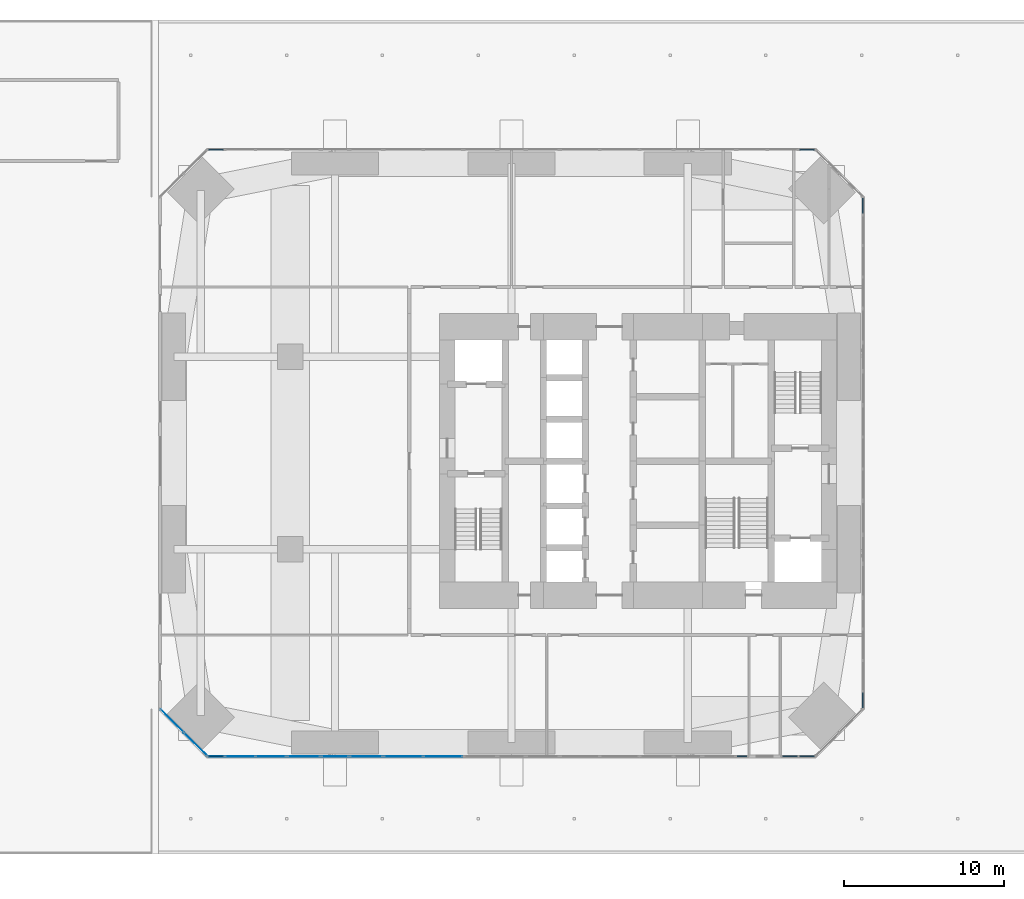
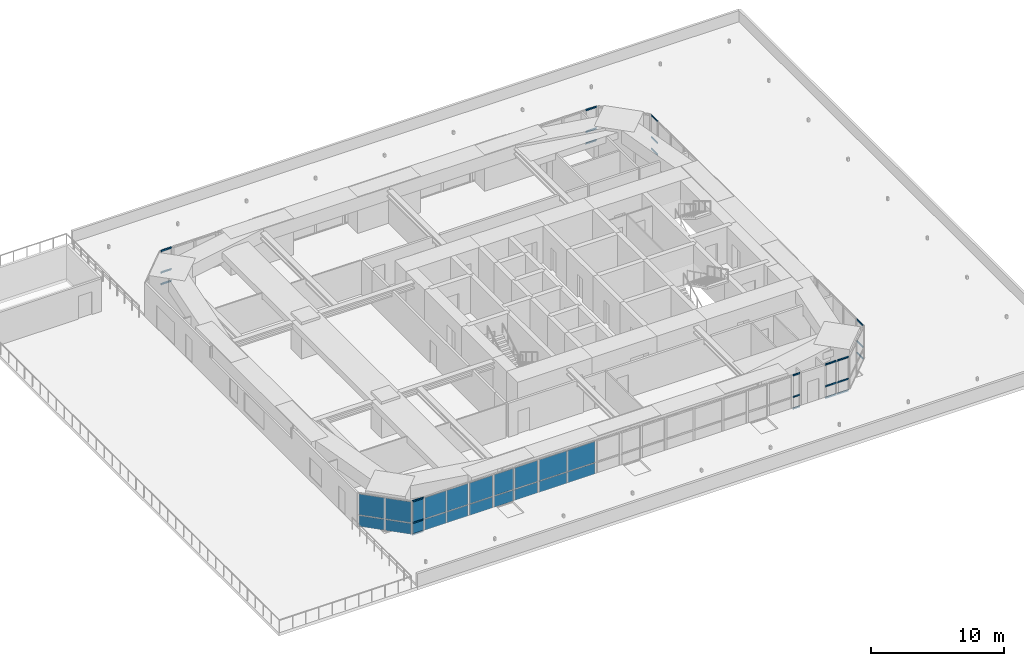
# One storey, part 8 of 20: 24 members, 20 plates, 14 elements without a shape of their own.
"""IFC4 building model written with IfcOpenShell, lengths in metres."""

from ifc_helpers import new_model, si_unit, direction, frame, origin, origin_2d, place, context, subcontext, project, spatial, rectangle, extrude, material, layer, layer_set, material_profile, profile_set, type_object, element, aggregate, save


model = new_model("IFC4")

# Units and contexts
model_context = context("Model", 3, precision=1e-05, world=origin(), true_north=direction((0.0, 1.0)))
body_context = subcontext(model_context, "Body", "Model", "MODEL_VIEW")
ifc_project = project(units=[si_unit("LENGTHUNIT", "METRE"), si_unit("AREAUNIT", "SQUARE_METRE"), si_unit("VOLUMEUNIT", "CUBIC_METRE"), si_unit("PLANEANGLEUNIT", "RADIAN"), si_unit("MASSUNIT", "GRAM", prefix="KILO")], contexts=[model_context])

# Site, building, storey
site_placement = place(None, origin())
site = spatial("IfcSite", under=ifc_project, at=site_placement, CompositionType="ELEMENT")
building_placement = place(site_placement, origin())
building = spatial("IfcBuilding", under=site, at=building_placement, Name="Jalousie Tower", CompositionType="ELEMENT")
storey_placement = place(building_placement, frame((0.0, 0.0, 21.0)))
storey = spatial("IfcBuildingStorey", under=building, at=storey_placement, Name="L04", CompositionType="ELEMENT", Elevation=21.0)

# Curtain wall, members
ifc_material_1 = material(Name="Aluminium curtain wall", Category="aluminium")
curtain_wall_type_1 = type_object("IfcCurtainWallType", Name="AMENITY SPANDREL WALL", PredefinedType="USERDEFINED", material=ifc_material_1)
curtain_wall_1_placement = place(storey_placement, origin())
curtain_wall_1 = element("IfcCurtainWall", 1, at=curtain_wall_1_placement, inside=storey, type_object=curtain_wall_type_1, Name="Amenity Spandrel Wall L04 1", ObjectType="AMENITY SPANDREL WALL", PredefinedType="USERDEFINED")
ifc_material_2 = material(Name="Aluminium transom", Category="aluminium")
ifc_material_profile = material_profile(ifc_material_2, rectangle(XDim=0.06494140625, YDim=0.1298828125, at=origin_2d()), Name="TRANSOM 65x130")
ifc_profile_set = profile_set([ifc_material_profile], Name="Aluminium transom")
member_type = type_object("IfcMemberType", Name="AMENITY SPANDREL WALL TRANSOM", PredefinedType="USERDEFINED", material=ifc_profile_set)
member_1_placement = place(storey_placement, frame((5.1162109375, 0.08740234375, 0.032470703125), z_axis=(1.0, 0.0, 0.0), x_axis=(0.0, 1.0, 0.0)))
member_1 = element("IfcMember", 2, at=member_1_placement, type_object=member_type, Name="CW-AS transom 1.1", ObjectType="TRANSOM", PredefinedType="USERDEFINED", context=body_context, shape_type="SweptSolid", body=[
    extrude(rectangle(XDim=0.06494140625, YDim=0.1298828125, at=origin_2d()), origin(), (0.0, 0.0, 1.0), 0.923583984375),
])
member_2_placement = place(storey_placement, frame((5.1162109375, 0.08740234375, 1.10009765625), z_axis=(1.0, 0.0, 0.0), x_axis=(0.0, 1.0, 0.0)))
member_2 = element("IfcMember", 3, at=member_2_placement, type_object=member_type, Name="CW-AS transom 1.2", ObjectType="TRANSOM", PredefinedType="USERDEFINED", context=body_context, shape_type="SweptSolid", body=[
    extrude(rectangle(XDim=0.06494140625, YDim=0.1298828125, at=origin_2d()), origin(), (0.0, 0.0, 1.0), 0.923583984375),
])
member_3_placement = place(storey_placement, frame((5.1162109375, 0.08740234375, 3.077392578125), z_axis=(1.0, 0.0, 0.0), x_axis=(0.0, 1.0, 0.0)))
member_3 = element("IfcMember", 4, at=member_3_placement, type_object=member_type, Name="CW-AS transom 1.3", ObjectType="TRANSOM", PredefinedType="USERDEFINED", context=body_context, shape_type="SweptSolid", body=[
    extrude(rectangle(XDim=0.06494140625, YDim=0.1298828125, at=origin_2d()), origin(), (0.0, 0.0, 1.0), 0.923583984375),
])

curtain_wall_2_placement = place(storey_placement, origin())
curtain_wall_2 = element("IfcCurtainWall", 5, at=curtain_wall_2_placement, inside=storey, type_object=curtain_wall_type_1, Name="Amenity Spandrel Wall L04 15", ObjectType="AMENITY SPANDREL WALL", PredefinedType="USERDEFINED")
member_4_placement = place(storey_placement, frame((41.960205078125, 0.08740234375, 0.032470703125), z_axis=(1.0, 0.0, 0.0), x_axis=(0.0, 1.0, 0.0)))
member_4 = element("IfcMember", 6, at=member_4_placement, type_object=member_type, Name="CW-AS transom 1.1", ObjectType="TRANSOM", PredefinedType="USERDEFINED", context=body_context, shape_type="SweptSolid", body=[
    extrude(rectangle(XDim=0.06494140625, YDim=0.1298828125, at=origin_2d()), origin(), (0.0, 0.0, 1.0), 0.923583984375),
])
member_5_placement = place(storey_placement, frame((41.960205078125, 0.08740234375, 1.10009765625), z_axis=(1.0, 0.0, 0.0), x_axis=(0.0, 1.0, 0.0)))
member_5 = element("IfcMember", 7, at=member_5_placement, type_object=member_type, Name="CW-AS transom 1.2", ObjectType="TRANSOM", PredefinedType="USERDEFINED", context=body_context, shape_type="SweptSolid", body=[
    extrude(rectangle(XDim=0.06494140625, YDim=0.1298828125, at=origin_2d()), origin(), (0.0, 0.0, 1.0), 0.923583984375),
])
member_6_placement = place(storey_placement, frame((41.960205078125, 0.08740234375, 3.077392578125), z_axis=(1.0, 0.0, 0.0), x_axis=(0.0, 1.0, 0.0)))
member_6 = element("IfcMember", 8, at=member_6_placement, type_object=member_type, Name="CW-AS transom 1.3", ObjectType="TRANSOM", PredefinedType="USERDEFINED", context=body_context, shape_type="SweptSolid", body=[
    extrude(rectangle(XDim=0.06494140625, YDim=0.1298828125, at=origin_2d()), origin(), (0.0, 0.0, 1.0), 0.923583984375),
])
aggregate(curtain_wall_2, [member_4, member_5, member_6])

curtain_wall_3_placement = place(storey_placement, origin())
curtain_wall_3 = element("IfcCurtainWall", 9, at=curtain_wall_3_placement, inside=storey, type_object=curtain_wall_type_1, Name="Amenity Spandrel Wall L04 21", ObjectType="AMENITY SPANDREL WALL", PredefinedType="USERDEFINED")
member_7_placement = place(storey_placement, frame((45.91259765625, 3.1162109375, 0.032470703125), z_axis=(0.0, 1.0, 0.0), x_axis=(-1.0, 0.0, 0.0)))
member_7 = element("IfcMember", 10, at=member_7_placement, type_object=member_type, Name="CW-AS transom 1.1", ObjectType="TRANSOM", PredefinedType="USERDEFINED", context=body_context, shape_type="SweptSolid", body=[
    extrude(rectangle(XDim=0.06494140625, YDim=0.1298828125, at=origin_2d()), origin(), (0.0, 0.0, 1.0), 0.923583984375),
])
member_8_placement = place(storey_placement, frame((45.91259765625, 3.1162109375, 1.10009765625), z_axis=(0.0, 1.0, 0.0), x_axis=(-1.0, 0.0, 0.0)))
member_8 = element("IfcMember", 11, at=member_8_placement, type_object=member_type, Name="CW-AS transom 1.2", ObjectType="TRANSOM", PredefinedType="USERDEFINED", context=body_context, shape_type="SweptSolid", body=[
    extrude(rectangle(XDim=0.06494140625, YDim=0.1298828125, at=origin_2d()), origin(), (0.0, 0.0, 1.0), 0.923583984375),
])
member_9_placement = place(storey_placement, frame((45.91259765625, 3.1162109375, 3.077392578125), z_axis=(0.0, 1.0, 0.0), x_axis=(-1.0, 0.0, 0.0)))
member_9 = element("IfcMember", 12, at=member_9_placement, type_object=member_type, Name="CW-AS transom 1.3", ObjectType="TRANSOM", PredefinedType="USERDEFINED", context=body_context, shape_type="SweptSolid", body=[
    extrude(rectangle(XDim=0.06494140625, YDim=0.1298828125, at=origin_2d()), origin(), (0.0, 0.0, 1.0), 0.923583984375),
])
aggregate(curtain_wall_3, [member_7, member_8, member_9])

curtain_wall_4_placement = place(storey_placement, origin())
curtain_wall_4 = element("IfcCurtainWall", 13, at=curtain_wall_4_placement, inside=storey, type_object=curtain_wall_type_1, Name="Amenity Spandrel Wall L04 31", ObjectType="AMENITY SPANDREL WALL", PredefinedType="USERDEFINED")
member_10_placement = place(storey_placement, frame((45.91259765625, 33.960205078125, 0.032470703125), z_axis=(0.0, 1.0, 0.0), x_axis=(-1.0, 0.0, 0.0)))
member_10 = element("IfcMember", 14, at=member_10_placement, type_object=member_type, Name="CW-AS transom 1.1", ObjectType="TRANSOM", PredefinedType="USERDEFINED", context=body_context, shape_type="SweptSolid", body=[
    extrude(rectangle(XDim=0.06494140625, YDim=0.1298828125, at=origin_2d()), origin(), (0.0, 0.0, 1.0), 0.923583984375),
])
member_11_placement = place(storey_placement, frame((45.91259765625, 33.960205078125, 1.10009765625), z_axis=(0.0, 1.0, 0.0), x_axis=(-1.0, 0.0, 0.0)))
member_11 = element("IfcMember", 15, at=member_11_placement, type_object=member_type, Name="CW-AS transom 1.2", ObjectType="TRANSOM", PredefinedType="USERDEFINED", context=body_context, shape_type="SweptSolid", body=[
    extrude(rectangle(XDim=0.06494140625, YDim=0.1298828125, at=origin_2d()), origin(), (0.0, 0.0, 1.0), 0.923583984375),
])
member_12_placement = place(storey_placement, frame((45.91259765625, 33.960205078125, 3.077392578125), z_axis=(0.0, 1.0, 0.0), x_axis=(-1.0, 0.0, 0.0)))
member_12 = element("IfcMember", 16, at=member_12_placement, type_object=member_type, Name="CW-AS transom 1.3", ObjectType="TRANSOM", PredefinedType="USERDEFINED", context=body_context, shape_type="SweptSolid", body=[
    extrude(rectangle(XDim=0.06494140625, YDim=0.1298828125, at=origin_2d()), origin(), (0.0, 0.0, 1.0), 0.923583984375),
])
aggregate(curtain_wall_4, [member_10, member_11, member_12])

curtain_wall_5_placement = place(storey_placement, origin())
curtain_wall_5 = element("IfcCurtainWall", 17, at=curtain_wall_5_placement, inside=storey, type_object=curtain_wall_type_1, Name="Amenity Spandrel Wall L04 41", ObjectType="AMENITY SPANDREL WALL", PredefinedType="USERDEFINED")
member_13_placement = place(storey_placement, frame((42.8837890625, 37.91259765625, 0.032470703125), z_axis=(-1.0, 0.0, 0.0), x_axis=(0.0, -1.0, 0.0)))
member_13 = element("IfcMember", 18, at=member_13_placement, type_object=member_type, Name="CW-AS transom 1.1", ObjectType="TRANSOM", PredefinedType="USERDEFINED", context=body_context, shape_type="SweptSolid", body=[
    extrude(rectangle(XDim=0.06494140625, YDim=0.1298828125, at=origin_2d()), origin(), (0.0, 0.0, 1.0), 0.923583984375),
])
member_14_placement = place(storey_placement, frame((42.8837890625, 37.91259765625, 1.10009765625), z_axis=(-1.0, 0.0, 0.0), x_axis=(0.0, -1.0, 0.0)))
member_14 = element("IfcMember", 19, at=member_14_placement, type_object=member_type, Name="CW-AS transom 1.2", ObjectType="TRANSOM", PredefinedType="USERDEFINED", context=body_context, shape_type="SweptSolid", body=[
    extrude(rectangle(XDim=0.06494140625, YDim=0.1298828125, at=origin_2d()), origin(), (0.0, 0.0, 1.0), 0.923583984375),
])
member_15_placement = place(storey_placement, frame((42.8837890625, 37.91259765625, 3.077392578125), z_axis=(-1.0, 0.0, 0.0), x_axis=(0.0, -1.0, 0.0)))
member_15 = element("IfcMember", 20, at=member_15_placement, type_object=member_type, Name="CW-AS transom 1.3", ObjectType="TRANSOM", PredefinedType="USERDEFINED", context=body_context, shape_type="SweptSolid", body=[
    extrude(rectangle(XDim=0.06494140625, YDim=0.1298828125, at=origin_2d()), origin(), (0.0, 0.0, 1.0), 0.923583984375),
])
aggregate(curtain_wall_5, [member_13, member_14, member_15])

curtain_wall_6_placement = place(storey_placement, origin())
curtain_wall_6 = element("IfcCurtainWall", 21, at=curtain_wall_6_placement, inside=storey, type_object=curtain_wall_type_1, Name="Amenity Spandrel Wall L04 55", ObjectType="AMENITY SPANDREL WALL", PredefinedType="USERDEFINED")
member_16_placement = place(storey_placement, frame((6.039794921875, 37.91259765625, 0.032470703125), z_axis=(-1.0, 0.0, 0.0), x_axis=(0.0, -1.0, 0.0)))
member_16 = element("IfcMember", 22, at=member_16_placement, type_object=member_type, Name="CW-AS transom 1.1", ObjectType="TRANSOM", PredefinedType="USERDEFINED", context=body_context, shape_type="SweptSolid", body=[
    extrude(rectangle(XDim=0.06494140625, YDim=0.1298828125, at=origin_2d()), origin(), (0.0, 0.0, 1.0), 0.923583984375),
])
member_17_placement = place(storey_placement, frame((6.039794921875, 37.91259765625, 1.10009765625), z_axis=(-1.0, 0.0, 0.0), x_axis=(0.0, -1.0, 0.0)))
member_17 = element("IfcMember", 23, at=member_17_placement, type_object=member_type, Name="CW-AS transom 1.2", ObjectType="TRANSOM", PredefinedType="USERDEFINED", context=body_context, shape_type="SweptSolid", body=[
    extrude(rectangle(XDim=0.06494140625, YDim=0.1298828125, at=origin_2d()), origin(), (0.0, 0.0, 1.0), 0.923583984375),
])
member_18_placement = place(storey_placement, frame((6.039794921875, 37.91259765625, 3.077392578125), z_axis=(-1.0, 0.0, 0.0), x_axis=(0.0, -1.0, 0.0)))
member_18 = element("IfcMember", 24, at=member_18_placement, type_object=member_type, Name="CW-AS transom 1.3", ObjectType="TRANSOM", PredefinedType="USERDEFINED", context=body_context, shape_type="SweptSolid", body=[
    extrude(rectangle(XDim=0.06494140625, YDim=0.1298828125, at=origin_2d()), origin(), (0.0, 0.0, 1.0), 0.923583984375),
])
aggregate(curtain_wall_6, [member_16, member_17, member_18])

curtain_wall_7_placement = place(storey_placement, origin())
curtain_wall_7 = element("IfcCurtainWall", 25, at=curtain_wall_7_placement, inside=storey, type_object=curtain_wall_type_1, Name="Amenity Spandrel Wall L04 14", ObjectType="AMENITY SPANDREL WALL", PredefinedType="USERDEFINED")
member_19_placement = place(storey_placement, frame((38.07958984375, 0.08740234375, 0.032470703125), z_axis=(1.0, 0.0, 0.0), x_axis=(0.0, 1.0, 0.0)))
member_19 = element("IfcMember", 26, at=member_19_placement, type_object=member_type, Name="CW-AS transom 1.1", ObjectType="TRANSOM", PredefinedType="USERDEFINED", context=body_context, shape_type="SweptSolid", body=[
    extrude(rectangle(XDim=0.06494140625, YDim=0.1298828125, at=origin_2d()), origin(), (0.0, 0.0, 1.0), 0.59326171875),
])
member_20_placement = place(storey_placement, frame((38.07958984375, 0.08740234375, 1.10009765625), z_axis=(1.0, 0.0, 0.0), x_axis=(0.0, 1.0, 0.0)))
member_20 = element("IfcMember", 27, at=member_20_placement, type_object=member_type, Name="CW-AS transom 1.2", ObjectType="TRANSOM", PredefinedType="USERDEFINED", context=body_context, shape_type="SweptSolid", body=[
    extrude(rectangle(XDim=0.06494140625, YDim=0.1298828125, at=origin_2d()), origin(), (0.0, 0.0, 1.0), 0.59326171875),
])
member_21_placement = place(storey_placement, frame((38.07958984375, 0.08740234375, 3.077392578125), z_axis=(1.0, 0.0, 0.0), x_axis=(0.0, 1.0, 0.0)))
member_21 = element("IfcMember", 28, at=member_21_placement, type_object=member_type, Name="CW-AS transom 1.3", ObjectType="TRANSOM", PredefinedType="USERDEFINED", context=body_context, shape_type="SweptSolid", body=[
    extrude(rectangle(XDim=0.06494140625, YDim=0.1298828125, at=origin_2d()), origin(), (0.0, 0.0, 1.0), 0.59326171875),
])
aggregate(curtain_wall_7, [member_19, member_20, member_21])

curtain_wall_8_placement = place(storey_placement, origin())
curtain_wall_8 = element("IfcCurtainWall", 29, at=curtain_wall_8_placement, inside=storey, type_object=curtain_wall_type_1, Name="Amenity Spandrel Wall L04 14 east", ObjectType="AMENITY SPANDREL WALL", PredefinedType="USERDEFINED")
member_22_placement = place(storey_placement, frame((40.908203125, 0.08740234375, 0.032470703125), z_axis=(1.0, 0.0, 0.0), x_axis=(0.0, 1.0, 0.0)))
member_22 = element("IfcMember", 30, at=member_22_placement, type_object=member_type, Name="CW-AS transom 1.1", ObjectType="TRANSOM", PredefinedType="USERDEFINED", context=body_context, shape_type="SweptSolid", body=[
    extrude(rectangle(XDim=0.06494140625, YDim=0.1298828125, at=origin_2d()), origin(), (0.0, 0.0, 1.0), 0.921875),
])
member_23_placement = place(storey_placement, frame((40.908203125, 0.08740234375, 1.10009765625), z_axis=(1.0, 0.0, 0.0), x_axis=(0.0, 1.0, 0.0)))
member_23 = element("IfcMember", 31, at=member_23_placement, type_object=member_type, Name="CW-AS transom 1.2", ObjectType="TRANSOM", PredefinedType="USERDEFINED", context=body_context, shape_type="SweptSolid", body=[
    extrude(rectangle(XDim=0.06494140625, YDim=0.1298828125, at=origin_2d()), origin(), (0.0, 0.0, 1.0), 0.921875),
])
member_24_placement = place(storey_placement, frame((40.908203125, 0.08740234375, 3.077392578125), z_axis=(1.0, 0.0, 0.0), x_axis=(0.0, 1.0, 0.0)))
member_24 = element("IfcMember", 32, at=member_24_placement, type_object=member_type, Name="CW-AS transom 1.3", ObjectType="TRANSOM", PredefinedType="USERDEFINED", context=body_context, shape_type="SweptSolid", body=[
    extrude(rectangle(XDim=0.06494140625, YDim=0.1298828125, at=origin_2d()), origin(), (0.0, 0.0, 1.0), 0.921875),
])
aggregate(curtain_wall_8, [member_22, member_23, member_24])

# Plate
ifc_material_3 = material(Name="Laminated impact-rated spandrel glass", Category="glass")
ifc_layer_1 = layer(ifc_material_3, 0.031982421875)
ifc_layer_set_1 = layer_set([ifc_layer_1], Name="Laminated impact-rated spandrel glass")
plate_type_1 = type_object("IfcPlateType", Name="AMENITY SPANDREL WALL PANEL", PredefinedType="CURTAIN_PANEL", material=ifc_layer_set_1)
plate_1_placement = place(storey_placement, frame((5.578125, 0.08740234375, 0.06494140625), z_axis=(0.0, 0.0, 1.0), x_axis=(1.0, 0.0, 0.0)))
plate_1 = element("IfcPlate", 33, at=plate_1_placement, type_object=plate_type_1, Name="CW-AS panel 1.1", PredefinedType="CURTAIN_PANEL", context=body_context, shape_type="SweptSolid", body=[
    extrude(rectangle(XDim=0.923583984375, YDim=0.031982421875, at=origin_2d()), origin(), (0.0, 0.0, 1.0), 1.00244140625),
])

plate_2_placement = place(storey_placement, frame((5.578125, 0.08740234375, 1.132568359375), z_axis=(0.0, 0.0, 1.0), x_axis=(1.0, 0.0, 0.0)))
plate_2 = element("IfcPlate", 34, at=plate_2_placement, type_object=plate_type_1, Name="CW-AS panel 1.2", PredefinedType="CURTAIN_PANEL", context=body_context, shape_type="SweptSolid", body=[
    extrude(rectangle(XDim=0.923583984375, YDim=0.031982421875, at=origin_2d()), origin(), (0.0, 0.0, 1.0), 1.91259765625),
])

aggregate(curtain_wall_1, [member_1, member_2, member_3, plate_1, plate_2])

# Curtain wall, plates
curtain_wall_9_placement = place(storey_placement, origin())
curtain_wall_9 = element("IfcCurtainWall", 35, at=curtain_wall_9_placement, inside=storey, type_object=curtain_wall_type_1, Name="Amenity Spandrel Wall L04 3", ObjectType="AMENITY SPANDREL WALL", PredefinedType="USERDEFINED")
plate_3_placement = place(storey_placement, frame((11.045166015625, 0.08740234375, 0.06494140625), z_axis=(0.0, 0.0, 1.0), x_axis=(1.0, 0.0, 0.0)))
plate_3 = element("IfcPlate", 36, at=plate_3_placement, type_object=plate_type_1, Name="CW-AS panel 1.1", PredefinedType="CURTAIN_PANEL", context=body_context, shape_type="SweptSolid", body=[
    extrude(rectangle(XDim=1.989501953125, YDim=0.031982421875, at=origin_2d()), origin(), (0.0, 0.0, 1.0), 1.00244140625),
])
plate_4_placement = place(storey_placement, frame((11.045166015625, 0.08740234375, 1.132568359375), z_axis=(0.0, 0.0, 1.0), x_axis=(1.0, 0.0, 0.0)))
plate_4 = element("IfcPlate", 37, at=plate_4_placement, type_object=plate_type_1, Name="CW-AS panel 1.2", PredefinedType="CURTAIN_PANEL", context=body_context, shape_type="SweptSolid", body=[
    extrude(rectangle(XDim=1.989501953125, YDim=0.031982421875, at=origin_2d()), origin(), (0.0, 0.0, 1.0), 1.91259765625),
])
aggregate(curtain_wall_9, [plate_3, plate_4])

curtain_wall_10_placement = place(storey_placement, origin())
curtain_wall_10 = element("IfcCurtainWall", 38, at=curtain_wall_10_placement, inside=storey, type_object=curtain_wall_type_1, Name="Amenity Spandrel Wall L04 5", ObjectType="AMENITY SPANDREL WALL", PredefinedType="USERDEFINED")
plate_5_placement = place(storey_placement, frame((14.954833984375, 0.08740234375, 0.06494140625), z_axis=(0.0, 0.0, 1.0), x_axis=(1.0, 0.0, 0.0)))
plate_5 = element("IfcPlate", 39, at=plate_5_placement, type_object=plate_type_1, Name="CW-AS panel 1.1", PredefinedType="CURTAIN_PANEL", context=body_context, shape_type="SweptSolid", body=[
    extrude(rectangle(XDim=1.989501953125, YDim=0.031982421875, at=origin_2d()), origin(), (0.0, 0.0, 1.0), 1.00244140625),
])
plate_6_placement = place(storey_placement, frame((14.954833984375, 0.08740234375, 1.132568359375), z_axis=(0.0, 0.0, 1.0), x_axis=(1.0, 0.0, 0.0)))
plate_6 = element("IfcPlate", 40, at=plate_6_placement, type_object=plate_type_1, Name="CW-AS panel 1.2", PredefinedType="CURTAIN_PANEL", context=body_context, shape_type="SweptSolid", body=[
    extrude(rectangle(XDim=1.989501953125, YDim=0.031982421875, at=origin_2d()), origin(), (0.0, 0.0, 1.0), 1.91259765625),
])
aggregate(curtain_wall_10, [plate_5, plate_6])

curtain_wall_11_placement = place(storey_placement, origin())
curtain_wall_11 = element("IfcCurtainWall", 41, at=curtain_wall_11_placement, inside=storey, type_object=curtain_wall_type_1, Name="Amenity Spandrel Wall L04 8", ObjectType="AMENITY SPANDREL WALL", PredefinedType="USERDEFINED")
plate_7_placement = place(storey_placement, frame((2.83984375, 2.298828125, 0.06494140625), z_axis=(0.0, 0.0, 1.0), x_axis=(0.707106781187, -0.707106781187, 0.0)))
plate_7 = element("IfcPlate", 42, at=plate_7_placement, type_object=plate_type_1, Name="CW-AS panel 1.1", PredefinedType="CURTAIN_PANEL", context=body_context, shape_type="SweptSolid", body=[
    extrude(rectangle(XDim=1.998291015625, YDim=0.031982421875, at=origin_2d()), origin(), (0.0, 0.0, 1.0), 1.00244140625),
])
plate_8_placement = place(storey_placement, frame((2.83984375, 2.298828125, 1.132568359375), z_axis=(0.0, 0.0, 1.0), x_axis=(0.707106781187, -0.707106781187, 0.0)))
plate_8 = element("IfcPlate", 43, at=plate_8_placement, type_object=plate_type_1, Name="CW-AS panel 1.2", PredefinedType="CURTAIN_PANEL", context=body_context, shape_type="SweptSolid", body=[
    extrude(rectangle(XDim=1.998291015625, YDim=0.031982421875, at=origin_2d()), origin(), (0.0, 0.0, 1.0), 1.91259765625),
])
plate_9_placement = place(storey_placement, frame((4.298828125, 0.83984375, 0.06494140625), z_axis=(0.0, 0.0, 1.0), x_axis=(0.707106781187, -0.707106781187, 0.0)))
plate_9 = element("IfcPlate", 44, at=plate_9_placement, type_object=plate_type_1, Name="CW-AS panel 2.1", PredefinedType="CURTAIN_PANEL", context=body_context, shape_type="SweptSolid", body=[
    extrude(rectangle(XDim=1.998291015625, YDim=0.031982421875, at=origin_2d()), origin(), (0.0, 0.0, 1.0), 1.00244140625),
])
plate_10_placement = place(storey_placement, frame((4.298828125, 0.83984375, 1.132568359375), z_axis=(0.0, 0.0, 1.0), x_axis=(0.707106781187, -0.707106781187, 0.0)))
plate_10 = element("IfcPlate", 45, at=plate_10_placement, type_object=plate_type_1, Name="CW-AS panel 2.2", PredefinedType="CURTAIN_PANEL", context=body_context, shape_type="SweptSolid", body=[
    extrude(rectangle(XDim=1.998291015625, YDim=0.031982421875, at=origin_2d()), origin(), (0.0, 0.0, 1.0), 1.91259765625),
])
aggregate(curtain_wall_11, [plate_7, plate_8, plate_9, plate_10])

ifc_material_4 = material(Name="Aluminium curtain wall", Category="aluminium")
curtain_wall_type_2 = type_object("IfcCurtainWallType", Name="AMENITY WINDOW WALL", PredefinedType="USERDEFINED", material=ifc_material_4)
curtain_wall_12_placement = place(storey_placement, origin())
curtain_wall_12 = element("IfcCurtainWall", 46, at=curtain_wall_12_placement, inside=storey, type_object=curtain_wall_type_2, Name="Amenity Window Wall L04 2", ObjectType="AMENITY WINDOW WALL", PredefinedType="USERDEFINED")
ifc_material_5 = material(Name="Laminated impact-rated glass", Category="glass")
ifc_layer_2 = layer(ifc_material_5, 0.031982421875)
ifc_layer_set_2 = layer_set([ifc_layer_2], Name="Laminated impact-rated glass")
plate_type_2 = type_object("IfcPlateType", Name="AMENITY WINDOW WALL PANEL", PredefinedType="CURTAIN_PANEL", material=ifc_layer_set_2)
plate_11_placement = place(storey_placement, frame((7.09130859375, 0.08740234375, 0.06494140625), z_axis=(0.0, 0.0, 1.0), x_axis=(1.0, 0.0, 0.0)))
plate_11 = element("IfcPlate", 47, at=plate_11_placement, type_object=plate_type_2, Name="CW-A panel 1.1", PredefinedType="CURTAIN_PANEL", context=body_context, shape_type="SweptSolid", body=[
    extrude(rectangle(XDim=1.8427734375, YDim=0.031982421875, at=origin_2d()), origin(), (0.0, 0.0, 1.0), 1.00244140625),
])
plate_12_placement = place(storey_placement, frame((7.09130859375, 0.08740234375, 1.132568359375), z_axis=(0.0, 0.0, 1.0), x_axis=(1.0, 0.0, 0.0)))
plate_12 = element("IfcPlate", 48, at=plate_12_placement, type_object=plate_type_2, Name="CW-A panel 1.2", PredefinedType="CURTAIN_PANEL", context=body_context, shape_type="SweptSolid", body=[
    extrude(rectangle(XDim=1.8427734375, YDim=0.031982421875, at=origin_2d()), origin(), (0.0, 0.0, 1.0), 1.91259765625),
])
plate_13_placement = place(storey_placement, frame((8.9990234375, 0.08740234375, 0.06494140625), z_axis=(0.0, 0.0, 1.0), x_axis=(1.0, 0.0, 0.0)))
plate_13 = element("IfcPlate", 49, at=plate_13_placement, type_object=plate_type_2, Name="CW-A panel 2.1", PredefinedType="CURTAIN_PANEL", context=body_context, shape_type="SweptSolid", body=[
    extrude(rectangle(XDim=1.8427734375, YDim=0.031982421875, at=origin_2d()), origin(), (0.0, 0.0, 1.0), 1.00244140625),
])
plate_14_placement = place(storey_placement, frame((8.9990234375, 0.08740234375, 1.132568359375), z_axis=(0.0, 0.0, 1.0), x_axis=(1.0, 0.0, 0.0)))
plate_14 = element("IfcPlate", 50, at=plate_14_placement, type_object=plate_type_2, Name="CW-A panel 2.2", PredefinedType="CURTAIN_PANEL", context=body_context, shape_type="SweptSolid", body=[
    extrude(rectangle(XDim=1.8427734375, YDim=0.031982421875, at=origin_2d()), origin(), (0.0, 0.0, 1.0), 1.91259765625),
])
aggregate(curtain_wall_12, [plate_11, plate_12, plate_13, plate_14])

curtain_wall_13_placement = place(storey_placement, origin())
curtain_wall_13 = element("IfcCurtainWall", 51, at=curtain_wall_13_placement, inside=storey, type_object=curtain_wall_type_2, Name="Amenity Window Wall L04 4", ObjectType="AMENITY WINDOW WALL", PredefinedType="USERDEFINED")
plate_15_placement = place(storey_placement, frame((13.0, 0.08740234375, 0.06494140625), z_axis=(0.0, 0.0, 1.0), x_axis=(1.0, 0.0, 0.0)))
plate_15 = element("IfcPlate", 52, at=plate_15_placement, type_object=plate_type_2, Name="CW-A panel 1.1", PredefinedType="CURTAIN_PANEL", context=body_context, shape_type="SweptSolid", body=[
    extrude(rectangle(XDim=1.66015625, YDim=0.031982421875, at=origin_2d()), origin(), (0.0, 0.0, 1.0), 1.00244140625),
])
plate_16_placement = place(storey_placement, frame((13.0, 0.08740234375, 1.132568359375), z_axis=(0.0, 0.0, 1.0), x_axis=(1.0, 0.0, 0.0)))
plate_16 = element("IfcPlate", 53, at=plate_16_placement, type_object=plate_type_2, Name="CW-A panel 1.2", PredefinedType="CURTAIN_PANEL", context=body_context, shape_type="SweptSolid", body=[
    extrude(rectangle(XDim=1.66015625, YDim=0.031982421875, at=origin_2d()), origin(), (0.0, 0.0, 1.0), 1.91259765625),
])
aggregate(curtain_wall_13, [plate_15, plate_16])

curtain_wall_14_placement = place(storey_placement, origin())
curtain_wall_14 = element("IfcCurtainWall", 54, at=curtain_wall_14_placement, inside=storey, type_object=curtain_wall_type_2, Name="Amenity Window Wall L04 6", ObjectType="AMENITY WINDOW WALL", PredefinedType="USERDEFINED")
plate_17_placement = place(storey_placement, frame((17.2734375, 0.08740234375, 0.06494140625), z_axis=(0.0, 0.0, 1.0), x_axis=(1.0, 0.0, 0.0)))
plate_17 = element("IfcPlate", 55, at=plate_17_placement, type_object=plate_type_2, Name="CW-A panel 1.1", PredefinedType="CURTAIN_PANEL", context=body_context, shape_type="SweptSolid", body=[
    extrude(rectangle(XDim=2.387939453125, YDim=0.031982421875, at=origin_2d()), origin(), (0.0, 0.0, 1.0), 1.00244140625),
])
plate_18_placement = place(storey_placement, frame((17.2734375, 0.08740234375, 1.132568359375), z_axis=(0.0, 0.0, 1.0), x_axis=(1.0, 0.0, 0.0)))
plate_18 = element("IfcPlate", 56, at=plate_18_placement, type_object=plate_type_2, Name="CW-A panel 1.2", PredefinedType="CURTAIN_PANEL", context=body_context, shape_type="SweptSolid", body=[
    extrude(rectangle(XDim=2.387939453125, YDim=0.031982421875, at=origin_2d()), origin(), (0.0, 0.0, 1.0), 1.91259765625),
])
plate_19_placement = place(storey_placement, frame((19.7265625, 0.08740234375, 0.06494140625), z_axis=(0.0, 0.0, 1.0), x_axis=(1.0, 0.0, 0.0)))
plate_19 = element("IfcPlate", 57, at=plate_19_placement, type_object=plate_type_2, Name="CW-A panel 2.1", PredefinedType="CURTAIN_PANEL", context=body_context, shape_type="SweptSolid", body=[
    extrude(rectangle(XDim=2.387939453125, YDim=0.031982421875, at=origin_2d()), origin(), (0.0, 0.0, 1.0), 1.00244140625),
])
plate_20_placement = place(storey_placement, frame((19.7265625, 0.08740234375, 1.132568359375), z_axis=(0.0, 0.0, 1.0), x_axis=(1.0, 0.0, 0.0)))
plate_20 = element("IfcPlate", 58, at=plate_20_placement, type_object=plate_type_2, Name="CW-A panel 2.2", PredefinedType="CURTAIN_PANEL", context=body_context, shape_type="SweptSolid", body=[
    extrude(rectangle(XDim=2.387939453125, YDim=0.031982421875, at=origin_2d()), origin(), (0.0, 0.0, 1.0), 1.91259765625),
])
aggregate(curtain_wall_14, [plate_17, plate_18, plate_19, plate_20])

save(model, "model.ifc")
